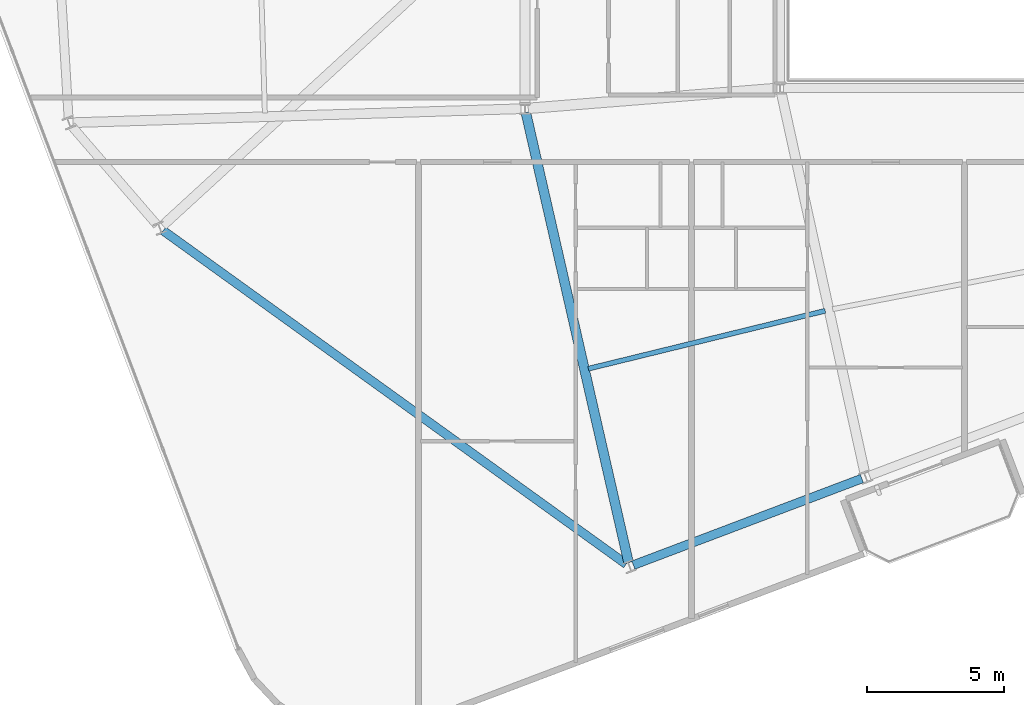
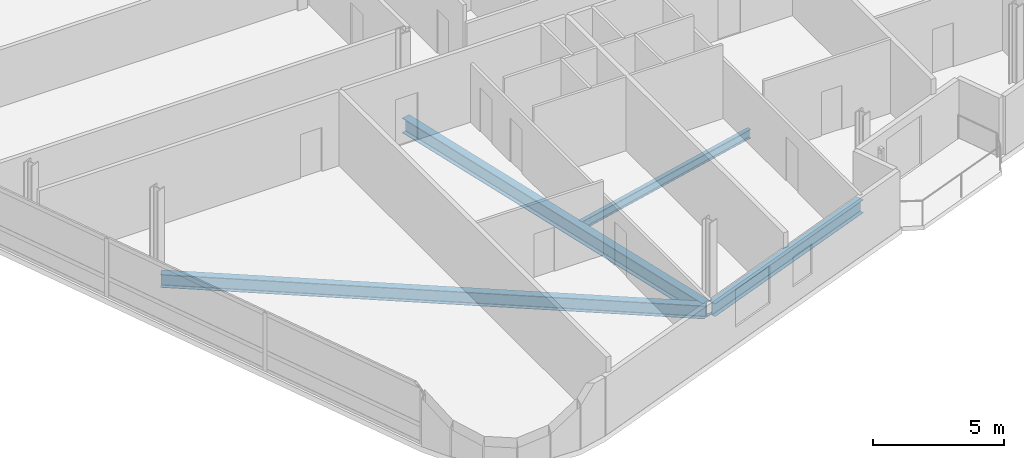
# One storey, part 4 of 20: 4 beams.
"""IFC4 building model written with IfcOpenShell, lengths in metres."""

from ifc_helpers import new_model, si_unit, direction, frame, origin, origin_2d, place, context, subcontext, project, spatial, i_section, extrude, material, material_profile, profile_set, type_object, element, save


model = new_model("IFC4")

# Units and contexts
model_context = context("Model", 3, precision=1e-05, world=origin(), true_north=direction((0.0, 1.0)))
body_context = subcontext(model_context, "Body", "Model", "MODEL_VIEW")
ifc_project = project(units=[si_unit("LENGTHUNIT", "METRE"), si_unit("AREAUNIT", "SQUARE_METRE"), si_unit("VOLUMEUNIT", "CUBIC_METRE"), si_unit("PLANEANGLEUNIT", "RADIAN"), si_unit("MASSUNIT", "GRAM", prefix="KILO")], contexts=[model_context])

# Site, building, storey
site_placement = place(None, origin())
site = spatial("IfcSite", under=ifc_project, at=site_placement, CompositionType="ELEMENT")
building_placement = place(site_placement, origin())
building = spatial("IfcBuilding", under=site, at=building_placement, Name="Varnelok Gate Tower", CompositionType="ELEMENT")
storey_placement = place(building_placement, frame((0.0, 0.0, 220.10009765625)))
storey = spatial("IfcBuildingStorey", under=building, at=storey_placement, Name="L56", CompositionType="ELEMENT", Elevation=220.10009765625)

# Beams
ifc_material = material(Name="Structural Steel ASTM A992 Grade 50", Category="steel")
ifc_material_profile_1 = material_profile(ifc_material, i_section(OverallWidth=0.180908203125, OverallDepth=0.4169921875, WebThickness=0.010986328125, FlangeThickness=0.018310546875, FilletRadius=0.013916015625, at=origin_2d()), Name="W16X57")
ifc_profile_set_1 = profile_set([ifc_material_profile_1], Name="Structural Steel ASTM A992 Grade 50")
beam_type_1 = type_object("IfcBeamType", Name="BM-JST-W16X57", PredefinedType="JOIST", material=ifc_profile_set_1)
beam_1_placement = place(storey_placement, frame((26.718505859375, 9.273193359375, -0.45849609375), z_axis=(0.971369027211, 0.237575699463, 0.0), x_axis=(-0.237575699463, 0.971369027211, 0.0)))
element("IfcBeam", 1, at=beam_1_placement, inside=storey, type_object=beam_type_1, Name="L56 Sector Floor Joist 1", PredefinedType="JOIST", context=body_context, shape_type="SweptSolid", body=[
    extrude(i_section(OverallWidth=0.180908203125, OverallDepth=0.4169921875, WebThickness=0.010986328125, FlangeThickness=0.018310546875, FilletRadius=0.013916015625, at=origin_2d()), origin(), (0.0, 0.0, 1.0), 8.935302734375),
])
ifc_material_profile_2 = material_profile(ifc_material, i_section(OverallWidth=0.35498046875, OverallDepth=0.696044921875, WebThickness=0.015380859375, FlangeThickness=0.02490234375, FilletRadius=0.02001953125, at=origin_2d()), Name="W27X146")
ifc_profile_set_2 = profile_set([ifc_material_profile_2], Name="Structural Steel ASTM A992 Grade 50")
beam_type_2 = type_object("IfcBeamType", Name="BM-PRI-W27X146", PredefinedType="BEAM", material=ifc_profile_set_2)
beam_2_placement = place(storey_placement, frame((24.433349609375, 18.65380859375, -0.59814453125), z_axis=(0.222569880735, -0.974916739106, 0.0), x_axis=(0.974916739106, 0.222569880735, 0.0)))
element("IfcBeam", 2, at=beam_2_placement, inside=storey, type_object=beam_type_2, Name="L56 Radial Floor Girder 1", PredefinedType="BEAM", context=body_context, shape_type="SweptSolid", body=[
    extrude(i_section(OverallWidth=0.35498046875, OverallDepth=0.696044921875, WebThickness=0.015380859375, FlangeThickness=0.02490234375, FilletRadius=0.02001953125, at=origin_2d()), origin(), (0.0, 0.0, 1.0), 16.903564453125),
])
ifc_material_profile_3 = material_profile(ifc_material, i_section(OverallWidth=0.323974609375, OverallDepth=0.611083984375, WebThickness=0.0126953125, FlangeThickness=0.01904296875, FilletRadius=0.01806640625, at=origin_2d()), Name="W24X104")
ifc_profile_set_3 = profile_set([ifc_material_profile_3], Name="Structural Steel ASTM A992 Grade 50")
beam_type_3 = type_object("IfcBeamType", Name="BM-SPN-W24X104", PredefinedType="SPANDREL", material=ifc_profile_set_3)
beam_3_placement = place(storey_placement, frame((28.369384765625, 2.081298828125, -0.5556640625), z_axis=(0.935225969099, 0.354051389947, 0.0), x_axis=(-0.354051389947, 0.935225969099, 0.0)))
element("IfcBeam", 3, at=beam_3_placement, inside=storey, type_object=beam_type_3, Name="L56 Perimeter Spandrel Beam 1", PredefinedType="SPANDREL", context=body_context, shape_type="SweptSolid", body=[
    extrude(i_section(OverallWidth=0.323974609375, OverallDepth=0.611083984375, WebThickness=0.0126953125, FlangeThickness=0.01904296875, FilletRadius=0.01806640625, at=origin_2d()), origin(), (0.0, 0.0, 1.0), 8.949951171875),
])
beam_4_placement = place(storey_placement, frame((11.148681640625, 14.33251953125, -0.5556640625), z_axis=(0.811386760244, -0.584509645173, 0.0), x_axis=(0.584509645173, 0.811386760244, 0.0)))
element("IfcBeam", 4, at=beam_4_placement, inside=storey, type_object=beam_type_3, Name="L56 Perimeter Spandrel Beam 16", PredefinedType="SPANDREL", context=body_context, shape_type="SweptSolid", body=[
    extrude(i_section(OverallWidth=0.323974609375, OverallDepth=0.611083984375, WebThickness=0.0126953125, FlangeThickness=0.01904296875, FilletRadius=0.01806640625, at=origin_2d()), origin(), (0.0, 0.0, 1.0), 20.90087890625),
])

save(model, "model.ifc")
